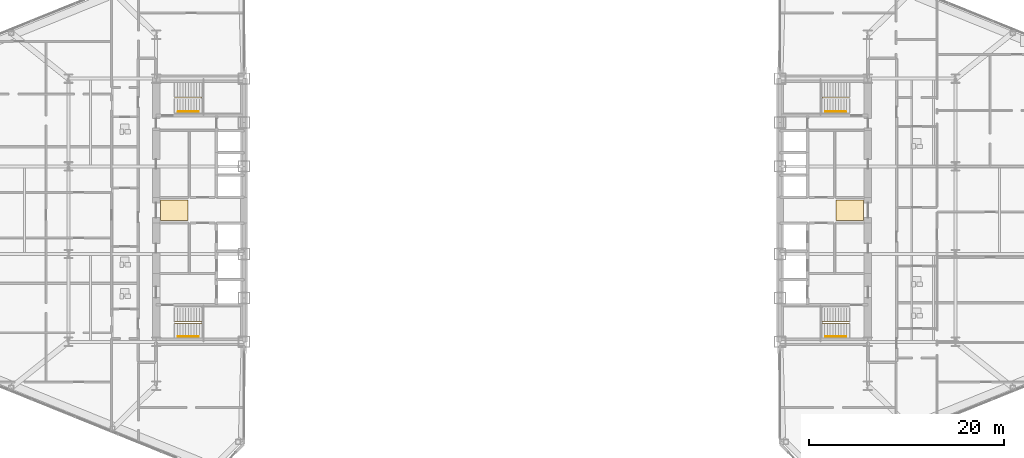
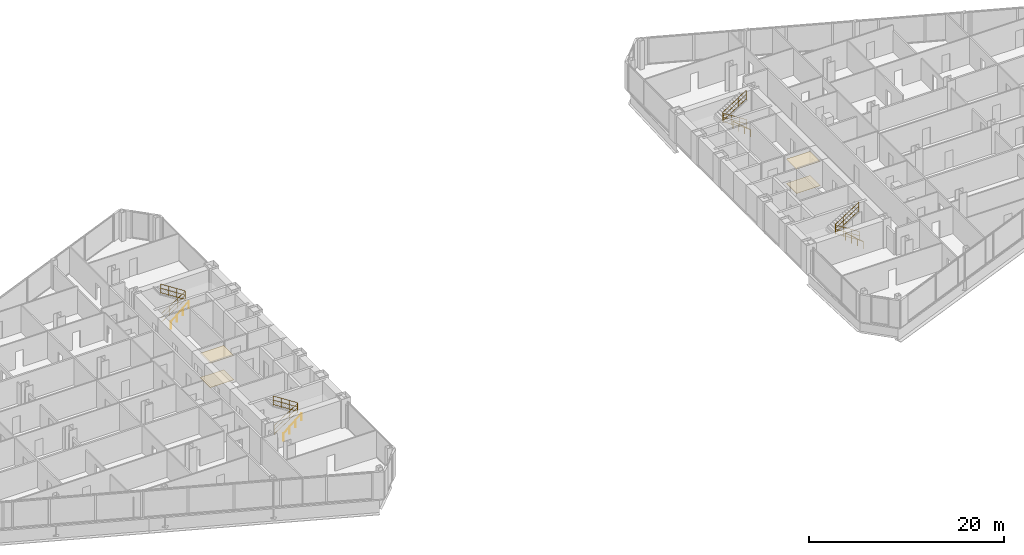
# One storey, part 25 of 26: 8 railings, 4 coverings.
"""IFC4 building model written with IfcOpenShell, lengths in metres."""

from ifc_helpers import new_model, si_unit, direction, frame, origin, origin_2d, place, context, subcontext, project, spatial, polyline, circle, outline, extrude, material, layer, layer_set, type_object, element, save


model = new_model("IFC4")

# Units and contexts
model_context = context("Model", 3, precision=1e-05, world=origin(), true_north=direction((0.0, 1.0)))
body_context = subcontext(model_context, "Body", "Model", "MODEL_VIEW")
ifc_project = project(units=[si_unit("LENGTHUNIT", "METRE"), si_unit("AREAUNIT", "SQUARE_METRE"), si_unit("VOLUMEUNIT", "CUBIC_METRE"), si_unit("PLANEANGLEUNIT", "RADIAN"), si_unit("MASSUNIT", "GRAM", prefix="KILO")], contexts=[model_context])

# Site, building, storey
site_placement = place(None, origin())
site = spatial("IfcSite", under=ifc_project, at=site_placement, CompositionType="ELEMENT")
building_placement = place(site_placement, origin())
building = spatial("IfcBuilding", under=site, at=building_placement, Name="Seokmaru Belvedere", CompositionType="ELEMENT")
storey_placement = place(building_placement, frame((0.0, 0.0, 18.89990234375)))
storey = spatial("IfcBuildingStorey", under=building, at=storey_placement, Name="L04", CompositionType="ELEMENT", Elevation=18.89990234375)

# Coverings
ifc_material_1 = material(Name="Engineered White Oak Timber", Category="wood")
ifc_layer_1 = layer(ifc_material_1, 0.02197265625)
ifc_layer_set_1 = layer_set([ifc_layer_1], Name="Engineered White Oak Timber")
covering_type_1 = type_object("IfcCoveringType", Name="Engineered Oak Residence Floor Finish 22", PredefinedType="FLOORING", material=ifc_layer_set_1)
covering_1_placement = place(storey_placement, origin())
element("IfcCovering", 1, at=covering_1_placement, inside=storey, type_object=covering_type_1, Name="L04 W Foyer Floor Finish", PredefinedType="FLOORING", context=body_context, shape_type="SweptSolid", body=[
    extrude(outline(polyline([(-36.050048828125, -1.050048828125), (-33.25, -1.050048828125), (-33.25, 1.050048828125), (-36.050048828125, 1.050048828125), (-36.050048828125, -1.050048828125)])), origin(), (0.0, 0.0, 1.0), 0.022216796875),
])
covering_2_placement = place(storey_placement, origin())
element("IfcCovering", 2, at=covering_2_placement, inside=storey, type_object=covering_type_1, Name="L04 E Foyer Floor Finish", PredefinedType="FLOORING", context=body_context, shape_type="SweptSolid", body=[
    extrude(outline(polyline([(33.25, -1.050048828125), (36.050048828125, -1.050048828125), (36.050048828125, 1.050048828125), (33.25, 1.050048828125), (33.25, -1.050048828125)])), origin(), (0.0, 0.0, 1.0), 0.022216796875),
])
ifc_material_2 = material(Name="Fire-Rated Gypsum Shaftwall")
ifc_layer_2 = layer(ifc_material_2, 0.02490234375)
ifc_layer_set_2 = layer_set([ifc_layer_2], Name="Fire-Rated Gypsum Shaftwall")
covering_type_2 = type_object("IfcCoveringType", Name="Perforated Acoustic Gypsum Suspended Ceiling 25", PredefinedType="CEILING", material=ifc_layer_set_2)
covering_3_placement = place(storey_placement, frame((0.0, 0.0, 3.030029296875)))
element("IfcCovering", 3, at=covering_3_placement, inside=storey, type_object=covering_type_2, Name="L04 W Lift Foyer Acoustic Ceiling", PredefinedType="CEILING", context=body_context, shape_type="SweptSolid", body=[
    extrude(outline(polyline([(-36.050048828125, -1.050048828125), (-33.25, -1.050048828125), (-33.25, 1.050048828125), (-36.050048828125, 1.050048828125), (-36.050048828125, -1.050048828125)])), origin(), (0.0, 0.0, 1.0), 0.025146484375),
])
covering_4_placement = place(storey_placement, frame((0.0, 0.0, 3.030029296875)))
element("IfcCovering", 4, at=covering_4_placement, inside=storey, type_object=covering_type_2, Name="L04 E Lift Foyer Acoustic Ceiling", PredefinedType="CEILING", context=body_context, shape_type="SweptSolid", body=[
    extrude(outline(polyline([(33.25, -1.050048828125), (36.050048828125, -1.050048828125), (36.050048828125, 1.050048828125), (33.25, 1.050048828125), (33.25, -1.050048828125)])), origin(), (0.0, 0.0, 1.0), 0.025146484375),
])

# Railings
ifc_material_3 = material(Name="Stainless Steel 316", Category="steel")
railing_type_1 = type_object("IfcRailingType", Name="Stainless Steel Wall and Flight Handrail 900", PredefinedType="HANDRAIL", material=ifc_material_3)
for number, where, name in (
    (5, (-34.25, -12.949951171875, 0.0), "L04 Stair ST-W1 Wall Handrail"),
    (6, (-34.25, 10.110107421875, 0.0), "L04 Stair ST-W2 Wall Handrail"),
):
    element("IfcRailing", number, at=place(storey_placement, frame(where)), inside=storey, type_object=railing_type_1, Name=name, PredefinedType="HANDRAIL", context=body_context, shape_type="SweptSolid", body=[
        extrude(circle(Radius=0.02392578125, at=origin_2d()), frame((0.0, 0.0, 0.8759765625), z_axis=(0.759262832861, 0.0, 0.650784104474), x_axis=(0.0, 1.0, 0.0)), (0.0, 0.0, 1.0), 2.765869140625),
        extrude(circle(Radius=0.02099609375, at=origin_2d()), origin(), (0.0, 0.0, 1.0), 0.851806640625),
        extrude(circle(Radius=0.02099609375, at=origin_2d()), frame((0.699951171875, 0.0, 0.60009765625)), (0.0, 0.0, 1.0), 0.851806640625),
        extrude(circle(Radius=0.02099609375, at=origin_2d()), frame((1.400146484375, 0.0, 1.199951171875)), (0.0, 0.0, 1.0), 0.851806640625),
        extrude(circle(Radius=0.02099609375, at=origin_2d()), frame((2.10009765625, 0.0, 1.800048828125)), (0.0, 0.0, 1.0), 0.851806640625),
    ])
for number, where, name in (
    (7, (34.25, -12.949951171875, 0.0), "L04 Stair ST-E1 Wall Handrail"),
    (8, (34.25, 10.110107421875, 0.0), "L04 Stair ST-E2 Wall Handrail"),
):
    element("IfcRailing", number, at=place(storey_placement, frame(where)), inside=storey, type_object=railing_type_1, Name=name, PredefinedType="HANDRAIL", context=body_context, shape_type="SweptSolid", body=[
        extrude(circle(Radius=0.02392578125, at=origin_2d()), frame((0.0, 0.0, 0.8759765625), z_axis=(-0.759262832861, 0.0, 0.650784104474), x_axis=(0.0, -1.0, 0.0)), (0.0, 0.0, 1.0), 2.765869140625),
        extrude(circle(Radius=0.02099609375, at=origin_2d()), origin(), (0.0, 0.0, 1.0), 0.851806640625),
        extrude(circle(Radius=0.02099609375, at=origin_2d()), frame((-0.699951171875, 0.0, 0.60009765625)), (0.0, 0.0, 1.0), 0.851806640625),
        extrude(circle(Radius=0.02099609375, at=origin_2d()), frame((-1.400146484375, 0.0, 1.199951171875)), (0.0, 0.0, 1.0), 0.851806640625),
        extrude(circle(Radius=0.02099609375, at=origin_2d()), frame((-2.10009765625, 0.0, 1.800048828125)), (0.0, 0.0, 1.0), 0.851806640625),
    ])
railing_type_2 = type_object("IfcRailingType", Name="Stair Well and Atrium Steel Guardrail 1200", PredefinedType="GUARDRAIL", material=ifc_material_3)
railing_1_placement = place(storey_placement, frame((-34.60009765625, -11.60009765625, 0.0)))
element("IfcRailing", 9, at=railing_1_placement, inside=storey, type_object=railing_type_2, Name="L04 Stair ST-W1 Inner Well Guardrail", PredefinedType="GUARDRAIL", context=body_context, shape_type="SweptSolid", body=[
    extrude(circle(Radius=0.02392578125, at=origin_2d()), frame((0.0, 0.0, 1.17578125), z_axis=(0.841176092368, 0.0, 0.540761298198), x_axis=(0.0, 1.0, 0.0)), (0.0, 0.0, 1.0), 3.32861328125),
    extrude(circle(Radius=0.02392578125, at=origin_2d()), frame((0.0, 0.0, 0.1201171875), z_axis=(0.841176092368, 0.0, 0.540761298198), x_axis=(0.0, 1.0, 0.0)), (0.0, 0.0, 1.0), 3.32861328125),
    extrude(circle(Radius=0.02392578125, at=origin_2d()), frame((0.0, 0.0, 0.659912109375), z_axis=(0.841176092368, 0.0, 0.540761298198), x_axis=(0.0, 1.0, 0.0)), (0.0, 0.0, 1.0), 3.32861328125),
    extrude(circle(Radius=0.02392578125, at=origin_2d()), frame((2.800048828125, 0.0, 2.97607421875), z_axis=(0.0, 1.0, 0.0), x_axis=(-1.0, 0.0, 0.0)), (0.0, 0.0, 1.0), 0.14013671875),
    extrude(circle(Radius=0.02392578125, at=origin_2d()), frame((2.800048828125, 0.0, 1.920166015625), z_axis=(0.0, 1.0, 0.0), x_axis=(-1.0, 0.0, 0.0)), (0.0, 0.0, 1.0), 0.14013671875),
    extrude(circle(Radius=0.02392578125, at=origin_2d()), frame((2.800048828125, 0.0, 2.4599609375), z_axis=(0.0, 1.0, 0.0), x_axis=(-1.0, 0.0, 0.0)), (0.0, 0.0, 1.0), 0.14013671875),
    extrude(circle(Radius=0.02392578125, at=origin_2d()), frame((2.800048828125, 0.14013671875, 2.97607421875), z_axis=(-0.841176092368, 0.0, 0.540761298198), x_axis=(0.0, -1.0, 0.0)), (0.0, 0.0, 1.0), 3.32861328125),
    extrude(circle(Radius=0.02392578125, at=origin_2d()), frame((2.800048828125, 0.14013671875, 1.920166015625), z_axis=(-0.841176092368, 0.0, 0.540761298198), x_axis=(0.0, -1.0, 0.0)), (0.0, 0.0, 1.0), 3.32861328125),
    extrude(circle(Radius=0.02392578125, at=origin_2d()), frame((2.800048828125, 0.14013671875, 2.4599609375), z_axis=(-0.841176092368, 0.0, 0.540761298198), x_axis=(0.0, -1.0, 0.0)), (0.0, 0.0, 1.0), 3.32861328125),
    extrude(circle(Radius=0.02099609375, at=origin_2d()), origin(), (0.0, 0.0, 1.0), 1.15185546875),
    extrude(circle(Radius=0.02099609375, at=origin_2d()), frame((0.933349609375, 0.0, 0.60009765625)), (0.0, 0.0, 1.0), 1.15185546875),
    extrude(circle(Radius=0.02099609375, at=origin_2d()), frame((1.86669921875, 0.0, 1.199951171875)), (0.0, 0.0, 1.0), 1.15185546875),
    extrude(circle(Radius=0.02099609375, at=origin_2d()), frame((2.800048828125, 0.0, 1.800048828125)), (0.0, 0.0, 1.0), 1.15185546875),
    extrude(circle(Radius=0.02099609375, at=origin_2d()), frame((2.800048828125, 0.14013671875, 1.800048828125)), (0.0, 0.0, 1.0), 1.15185546875),
    extrude(circle(Radius=0.02099609375, at=origin_2d()), frame((1.86669921875, 0.14013671875, 2.400146484375)), (0.0, 0.0, 1.0), 1.15185546875),
    extrude(circle(Radius=0.02099609375, at=origin_2d()), frame((0.933349609375, 0.14013671875, 3.0)), (0.0, 0.0, 1.0), 1.15185546875),
    extrude(circle(Radius=0.02099609375, at=origin_2d()), frame((0.0, 0.14013671875, 3.60009765625)), (0.0, 0.0, 1.0), 1.15185546875),
])
railing_2_placement = place(storey_placement, frame((-34.60009765625, 11.4599609375, 0.0)))
element("IfcRailing", 10, at=railing_2_placement, inside=storey, type_object=railing_type_2, Name="L04 Stair ST-W2 Inner Well Guardrail", PredefinedType="GUARDRAIL", context=body_context, shape_type="SweptSolid", body=[
    extrude(circle(Radius=0.02392578125, at=origin_2d()), frame((0.0, 0.0, 1.17578125), z_axis=(0.841176092368, 0.0, 0.540761298198), x_axis=(0.0, 1.0, 0.0)), (0.0, 0.0, 1.0), 3.32861328125),
    extrude(circle(Radius=0.02392578125, at=origin_2d()), frame((0.0, 0.0, 0.1201171875), z_axis=(0.841176092368, 0.0, 0.540761298198), x_axis=(0.0, 1.0, 0.0)), (0.0, 0.0, 1.0), 3.32861328125),
    extrude(circle(Radius=0.02392578125, at=origin_2d()), frame((0.0, 0.0, 0.659912109375), z_axis=(0.841176092368, 0.0, 0.540761298198), x_axis=(0.0, 1.0, 0.0)), (0.0, 0.0, 1.0), 3.32861328125),
    extrude(circle(Radius=0.02392578125, at=origin_2d()), frame((2.800048828125, 0.0, 2.97607421875), z_axis=(0.0, 1.0, 0.0), x_axis=(-1.0, 0.0, 0.0)), (0.0, 0.0, 1.0), 0.14013671875),
    extrude(circle(Radius=0.02392578125, at=origin_2d()), frame((2.800048828125, 0.0, 1.920166015625), z_axis=(0.0, 1.0, 0.0), x_axis=(-1.0, 0.0, 0.0)), (0.0, 0.0, 1.0), 0.14013671875),
    extrude(circle(Radius=0.02392578125, at=origin_2d()), frame((2.800048828125, 0.0, 2.4599609375), z_axis=(0.0, 1.0, 0.0), x_axis=(-1.0, 0.0, 0.0)), (0.0, 0.0, 1.0), 0.14013671875),
    extrude(circle(Radius=0.02392578125, at=origin_2d()), frame((2.800048828125, 0.14013671875, 2.97607421875), z_axis=(-0.841176092368, 0.0, 0.540761298198), x_axis=(0.0, -1.0, 0.0)), (0.0, 0.0, 1.0), 3.32861328125),
    extrude(circle(Radius=0.02392578125, at=origin_2d()), frame((2.800048828125, 0.14013671875, 1.920166015625), z_axis=(-0.841176092368, 0.0, 0.540761298198), x_axis=(0.0, -1.0, 0.0)), (0.0, 0.0, 1.0), 3.32861328125),
    extrude(circle(Radius=0.02392578125, at=origin_2d()), frame((2.800048828125, 0.14013671875, 2.4599609375), z_axis=(-0.841176092368, 0.0, 0.540761298198), x_axis=(0.0, -1.0, 0.0)), (0.0, 0.0, 1.0), 3.32861328125),
    extrude(circle(Radius=0.02099609375, at=origin_2d()), origin(), (0.0, 0.0, 1.0), 1.15185546875),
    extrude(circle(Radius=0.02099609375, at=origin_2d()), frame((0.933349609375, 0.0, 0.60009765625)), (0.0, 0.0, 1.0), 1.15185546875),
    extrude(circle(Radius=0.02099609375, at=origin_2d()), frame((1.86669921875, 0.0, 1.199951171875)), (0.0, 0.0, 1.0), 1.15185546875),
    extrude(circle(Radius=0.02099609375, at=origin_2d()), frame((2.800048828125, 0.0, 1.800048828125)), (0.0, 0.0, 1.0), 1.15185546875),
    extrude(circle(Radius=0.02099609375, at=origin_2d()), frame((2.800048828125, 0.14013671875, 1.800048828125)), (0.0, 0.0, 1.0), 1.15185546875),
    extrude(circle(Radius=0.02099609375, at=origin_2d()), frame((1.86669921875, 0.14013671875, 2.400146484375)), (0.0, 0.0, 1.0), 1.15185546875),
    extrude(circle(Radius=0.02099609375, at=origin_2d()), frame((0.933349609375, 0.14013671875, 3.0)), (0.0, 0.0, 1.0), 1.15185546875),
    extrude(circle(Radius=0.02099609375, at=origin_2d()), frame((0.0, 0.14013671875, 3.60009765625)), (0.0, 0.0, 1.0), 1.15185546875),
])
railing_3_placement = place(storey_placement, frame((34.60009765625, -11.60009765625, 0.0)))
element("IfcRailing", 11, at=railing_3_placement, inside=storey, type_object=railing_type_2, Name="L04 Stair ST-E1 Inner Well Guardrail", PredefinedType="GUARDRAIL", context=body_context, shape_type="SweptSolid", body=[
    extrude(circle(Radius=0.02392578125, at=origin_2d()), frame((0.0, 0.0, 1.17578125), z_axis=(-0.841176092368, 0.0, 0.540761298198), x_axis=(0.0, -1.0, 0.0)), (0.0, 0.0, 1.0), 3.32861328125),
    extrude(circle(Radius=0.02392578125, at=origin_2d()), frame((0.0, 0.0, 0.1201171875), z_axis=(-0.841176092368, 0.0, 0.540761298198), x_axis=(0.0, -1.0, 0.0)), (0.0, 0.0, 1.0), 3.32861328125),
    extrude(circle(Radius=0.02392578125, at=origin_2d()), frame((0.0, 0.0, 0.659912109375), z_axis=(-0.841176092368, 0.0, 0.540761298198), x_axis=(0.0, -1.0, 0.0)), (0.0, 0.0, 1.0), 3.32861328125),
    extrude(circle(Radius=0.02392578125, at=origin_2d()), frame((-2.800048828125, 0.0, 2.97607421875), z_axis=(0.0, 1.0, 0.0), x_axis=(-1.0, 0.0, 0.0)), (0.0, 0.0, 1.0), 0.14013671875),
    extrude(circle(Radius=0.02392578125, at=origin_2d()), frame((-2.800048828125, 0.0, 1.920166015625), z_axis=(0.0, 1.0, 0.0), x_axis=(-1.0, 0.0, 0.0)), (0.0, 0.0, 1.0), 0.14013671875),
    extrude(circle(Radius=0.02392578125, at=origin_2d()), frame((-2.800048828125, 0.0, 2.4599609375), z_axis=(0.0, 1.0, 0.0), x_axis=(-1.0, 0.0, 0.0)), (0.0, 0.0, 1.0), 0.14013671875),
    extrude(circle(Radius=0.02392578125, at=origin_2d()), frame((-2.800048828125, 0.14013671875, 2.97607421875), z_axis=(0.841176092368, 0.0, 0.540761298198), x_axis=(0.0, 1.0, 0.0)), (0.0, 0.0, 1.0), 3.32861328125),
    extrude(circle(Radius=0.02392578125, at=origin_2d()), frame((-2.800048828125, 0.14013671875, 1.920166015625), z_axis=(0.841176092368, 0.0, 0.540761298198), x_axis=(0.0, 1.0, 0.0)), (0.0, 0.0, 1.0), 3.32861328125),
    extrude(circle(Radius=0.02392578125, at=origin_2d()), frame((-2.800048828125, 0.14013671875, 2.4599609375), z_axis=(0.841176092368, 0.0, 0.540761298198), x_axis=(0.0, 1.0, 0.0)), (0.0, 0.0, 1.0), 3.32861328125),
    extrude(circle(Radius=0.02099609375, at=origin_2d()), origin(), (0.0, 0.0, 1.0), 1.15185546875),
    extrude(circle(Radius=0.02099609375, at=origin_2d()), frame((-0.933349609375, 0.0, 0.60009765625)), (0.0, 0.0, 1.0), 1.15185546875),
    extrude(circle(Radius=0.02099609375, at=origin_2d()), frame((-1.86669921875, 0.0, 1.199951171875)), (0.0, 0.0, 1.0), 1.15185546875),
    extrude(circle(Radius=0.02099609375, at=origin_2d()), frame((-2.800048828125, 0.0, 1.800048828125)), (0.0, 0.0, 1.0), 1.15185546875),
    extrude(circle(Radius=0.02099609375, at=origin_2d()), frame((-2.800048828125, 0.14013671875, 1.800048828125)), (0.0, 0.0, 1.0), 1.15185546875),
    extrude(circle(Radius=0.02099609375, at=origin_2d()), frame((-1.86669921875, 0.14013671875, 2.400146484375)), (0.0, 0.0, 1.0), 1.15185546875),
    extrude(circle(Radius=0.02099609375, at=origin_2d()), frame((-0.933349609375, 0.14013671875, 3.0)), (0.0, 0.0, 1.0), 1.15185546875),
    extrude(circle(Radius=0.02099609375, at=origin_2d()), frame((0.0, 0.14013671875, 3.60009765625)), (0.0, 0.0, 1.0), 1.15185546875),
])
railing_4_placement = place(storey_placement, frame((34.60009765625, 11.4599609375, 0.0)))
element("IfcRailing", 12, at=railing_4_placement, inside=storey, type_object=railing_type_2, Name="L04 Stair ST-E2 Inner Well Guardrail", PredefinedType="GUARDRAIL", context=body_context, shape_type="SweptSolid", body=[
    extrude(circle(Radius=0.02392578125, at=origin_2d()), frame((0.0, 0.0, 1.17578125), z_axis=(-0.841176092368, 0.0, 0.540761298198), x_axis=(0.0, -1.0, 0.0)), (0.0, 0.0, 1.0), 3.32861328125),
    extrude(circle(Radius=0.02392578125, at=origin_2d()), frame((0.0, 0.0, 0.1201171875), z_axis=(-0.841176092368, 0.0, 0.540761298198), x_axis=(0.0, -1.0, 0.0)), (0.0, 0.0, 1.0), 3.32861328125),
    extrude(circle(Radius=0.02392578125, at=origin_2d()), frame((0.0, 0.0, 0.659912109375), z_axis=(-0.841176092368, 0.0, 0.540761298198), x_axis=(0.0, -1.0, 0.0)), (0.0, 0.0, 1.0), 3.32861328125),
    extrude(circle(Radius=0.02392578125, at=origin_2d()), frame((-2.800048828125, 0.0, 2.97607421875), z_axis=(0.0, 1.0, 0.0), x_axis=(-1.0, 0.0, 0.0)), (0.0, 0.0, 1.0), 0.14013671875),
    extrude(circle(Radius=0.02392578125, at=origin_2d()), frame((-2.800048828125, 0.0, 1.920166015625), z_axis=(0.0, 1.0, 0.0), x_axis=(-1.0, 0.0, 0.0)), (0.0, 0.0, 1.0), 0.14013671875),
    extrude(circle(Radius=0.02392578125, at=origin_2d()), frame((-2.800048828125, 0.0, 2.4599609375), z_axis=(0.0, 1.0, 0.0), x_axis=(-1.0, 0.0, 0.0)), (0.0, 0.0, 1.0), 0.14013671875),
    extrude(circle(Radius=0.02392578125, at=origin_2d()), frame((-2.800048828125, 0.14013671875, 2.97607421875), z_axis=(0.841176092368, 0.0, 0.540761298198), x_axis=(0.0, 1.0, 0.0)), (0.0, 0.0, 1.0), 3.32861328125),
    extrude(circle(Radius=0.02392578125, at=origin_2d()), frame((-2.800048828125, 0.14013671875, 1.920166015625), z_axis=(0.841176092368, 0.0, 0.540761298198), x_axis=(0.0, 1.0, 0.0)), (0.0, 0.0, 1.0), 3.32861328125),
    extrude(circle(Radius=0.02392578125, at=origin_2d()), frame((-2.800048828125, 0.14013671875, 2.4599609375), z_axis=(0.841176092368, 0.0, 0.540761298198), x_axis=(0.0, 1.0, 0.0)), (0.0, 0.0, 1.0), 3.32861328125),
    extrude(circle(Radius=0.02099609375, at=origin_2d()), origin(), (0.0, 0.0, 1.0), 1.15185546875),
    extrude(circle(Radius=0.02099609375, at=origin_2d()), frame((-0.933349609375, 0.0, 0.60009765625)), (0.0, 0.0, 1.0), 1.15185546875),
    extrude(circle(Radius=0.02099609375, at=origin_2d()), frame((-1.86669921875, 0.0, 1.199951171875)), (0.0, 0.0, 1.0), 1.15185546875),
    extrude(circle(Radius=0.02099609375, at=origin_2d()), frame((-2.800048828125, 0.0, 1.800048828125)), (0.0, 0.0, 1.0), 1.15185546875),
    extrude(circle(Radius=0.02099609375, at=origin_2d()), frame((-2.800048828125, 0.14013671875, 1.800048828125)), (0.0, 0.0, 1.0), 1.15185546875),
    extrude(circle(Radius=0.02099609375, at=origin_2d()), frame((-1.86669921875, 0.14013671875, 2.400146484375)), (0.0, 0.0, 1.0), 1.15185546875),
    extrude(circle(Radius=0.02099609375, at=origin_2d()), frame((-0.933349609375, 0.14013671875, 3.0)), (0.0, 0.0, 1.0), 1.15185546875),
    extrude(circle(Radius=0.02099609375, at=origin_2d()), frame((0.0, 0.14013671875, 3.60009765625)), (0.0, 0.0, 1.0), 1.15185546875),
])

save(model, "model.ifc")
